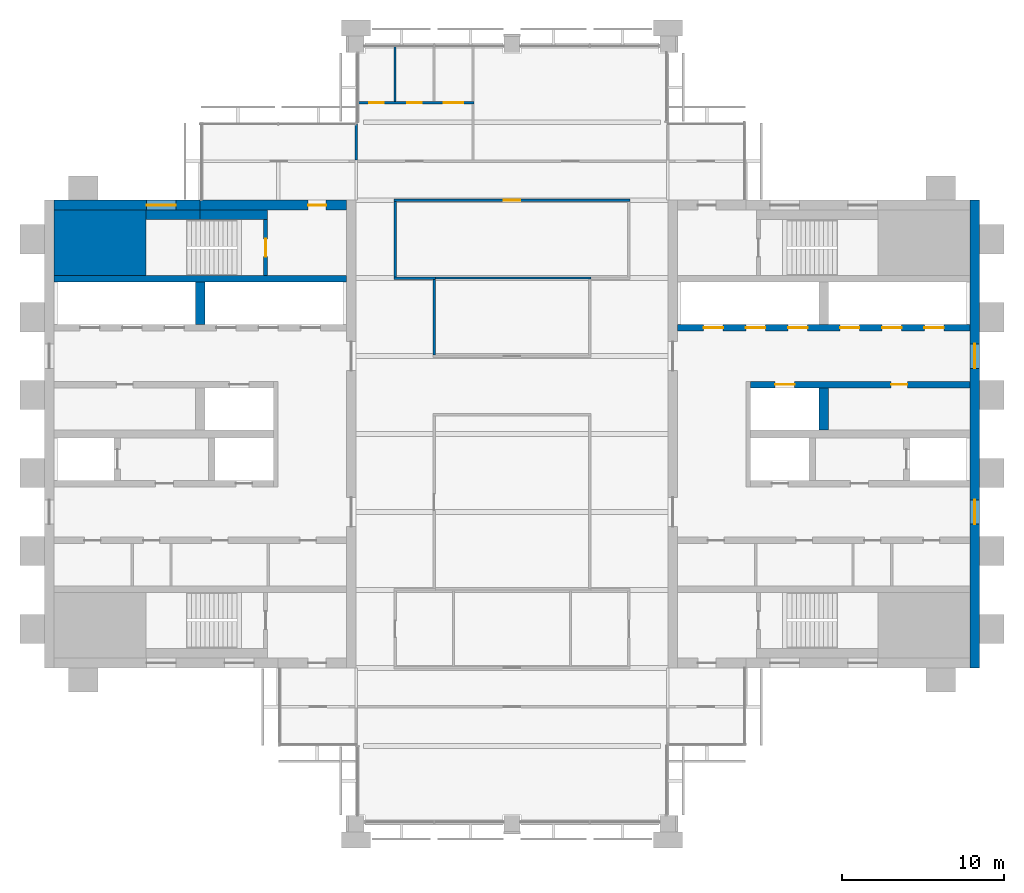
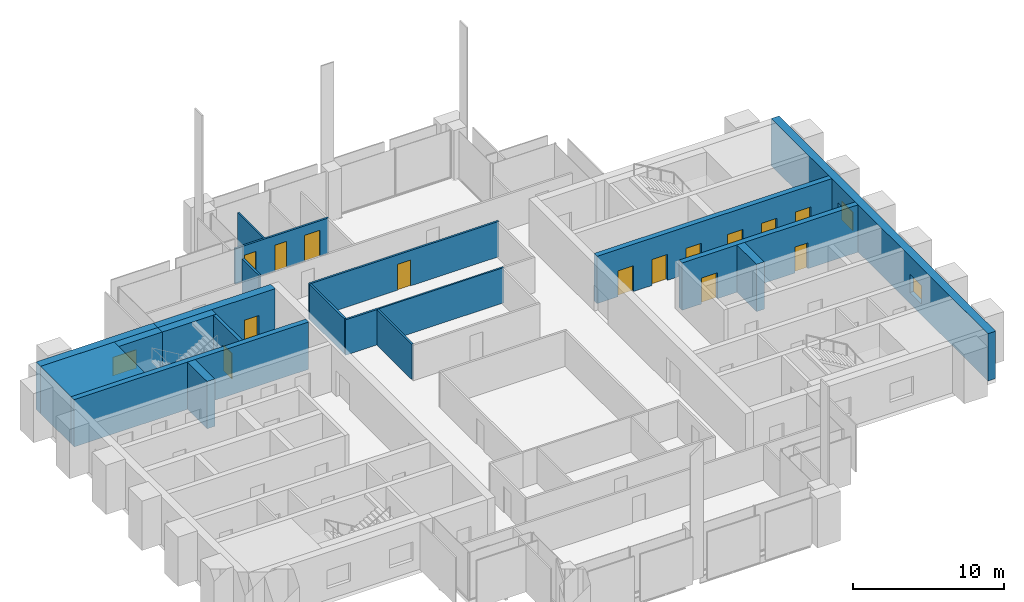
# One storey, part 10 of 12: 20 walls, 14 doors, 3 windows, 17 openings.
"""IFC4 building model written with IfcOpenShell, lengths in metres."""

from ifc_helpers import new_model, si_unit, direction, frame, frame_2d, origin, place, context, subcontext, project, spatial, rectangle, extrude, material, layer, layer_set, type_object, element, fill, save


model = new_model("IFC4")

# Units and contexts
model_context = context("Model", 3, precision=1e-05, world=origin(), true_north=direction((0.0, 1.0)))
body_context = subcontext(model_context, "Body", "Model", "MODEL_VIEW")
ifc_project = project(units=[si_unit("LENGTHUNIT", "METRE"), si_unit("AREAUNIT", "SQUARE_METRE"), si_unit("VOLUMEUNIT", "CUBIC_METRE"), si_unit("PLANEANGLEUNIT", "RADIAN"), si_unit("MASSUNIT", "GRAM", prefix="KILO")], contexts=[model_context])

# Site, building, storey
site_placement = place(None, origin())
site = spatial("IfcSite", under=ifc_project, at=site_placement, CompositionType="ELEMENT")
building_placement = place(site_placement, origin())
building = spatial("IfcBuilding", under=site, at=building_placement, Name="Baori Bourse Tower", CompositionType="ELEMENT")
storey_placement = place(building_placement, frame((0.0, 0.0, 282.300048828125)))
storey = spatial("IfcBuildingStorey", under=building, at=storey_placement, Name="L61", CompositionType="ELEMENT", Elevation=282.300048828125)

# Wall
ifc_material_1 = material(Name="Concrete f'c 40 MPa", Category="concrete")
wall_type_1 = type_object("IfcWallType", Name="Core corner block f'c 40", PredefinedType="SHEAR", material=ifc_material_1)
wall_1_placement = place(storey_placement, frame((0.60009765625, 35.77490234375, 0.0), z_axis=(0.0, 0.0, 1.0), x_axis=(1.0, 0.0, 0.0)))
element("IfcWall", 1, at=wall_1_placement, inside=storey, type_object=wall_type_1, Name="Core wall W23", PredefinedType="SHEAR", context=body_context, shape_type="SweptSolid", body=[
    extrude(rectangle(XDim=5.64990234375, YDim=4.050048828125, at=frame_2d((2.824951171875, 0.0))), origin(), (0.0, 0.0, 1.0), 3.83984375),
])

# Wall, opening, window
ifc_material_2 = material(Name="Concrete f'c 40 MPa", Category="concrete")
ifc_layer_1 = layer(ifc_material_2, 0.60009765625)
ifc_layer_set_1 = layer_set([ifc_layer_1], Name="Core wall 600 f'c 40")
wall_type_2 = type_object("IfcWallType", Name="Core wall 600 f'c 40", PredefinedType="SHEAR", material=ifc_layer_set_1)
wall_2_placement = place(storey_placement, frame((0.60009765625, 38.10009765625, 0.0), z_axis=(0.0, 0.0, 1.0), x_axis=(1.0, 0.0, 0.0)))
wall_2 = element("IfcWall", 2, at=wall_2_placement, inside=storey, type_object=wall_type_2, Name="Core wall W27", PredefinedType="SHEAR", context=body_context, shape_type="SweptSolid", body=[
    extrude(rectangle(XDim=9.0, YDim=0.60009765625, at=frame_2d((4.5, 0.0))), origin(), (0.0, 0.0, 1.0), 3.83984375),
])
opening_1_placement = place(wall_2_placement, frame((5.699951171875, 0.0, 0.89990234375)))
opening_1 = element("IfcOpeningElement", 3, at=opening_1_placement, cuts=wall_2, Name="Opening L61-KW105", PredefinedType="OPENING", context=body_context, shape_type="SweptSolid", body=[
    extrude(rectangle(XDim=1.800048828125, YDim=1.5, at=frame_2d((0.89990234375, 0.75))), frame((0.0, 0.31005859375, 0.0), z_axis=(0.0, -1.0, 0.0), x_axis=(1.0, 0.0, 0.0)), (0.0, 0.0, 1.0), 0.6201171875),
])
ifc_material_3 = material(Name="Pale anodised aluminium", Category="aluminium")
window_type_1 = type_object("IfcWindowType", Name="Stair window 1800 x 1500", PartitioningType="SINGLE_PANEL", PredefinedType="WINDOW", material=ifc_material_3)
window_1_placement = place(opening_1_placement, origin())
window_1 = element("IfcWindow", 4, at=window_1_placement, inside=storey, type_object=window_type_1, Name="Stair window W L61 5", OverallHeight=1.5, OverallWidth=1.800048828125, PartitioningType="SINGLE_PANEL", PredefinedType="WINDOW", context=body_context, shape_type="SweptSolid", body=[
    extrude(rectangle(XDim=1.800048828125, YDim=1.5, at=frame_2d((0.89990234375, 0.75))), frame((0.0, 0.030029296875, 0.0), z_axis=(0.0, -1.0, 0.0), x_axis=(1.0, 0.0, 0.0)), (0.0, 0.0, 1.0), 0.06005859375),
])
fill(opening_1, window_1)

# Wall, opening, door
wall_3_placement = place(storey_placement, frame((9.60009765625, 38.10009765625, 0.0), z_axis=(0.0, 0.0, 1.0), x_axis=(1.0, 0.0, 0.0)))
wall_3 = element("IfcWall", 5, at=wall_3_placement, inside=storey, type_object=wall_type_2, Name="Core wall W28", PredefinedType="SHEAR", context=body_context, shape_type="SweptSolid", body=[
    extrude(rectangle(XDim=9.0, YDim=0.60009765625, at=frame_2d((4.5, 0.0))), origin(), (0.0, 0.0, 1.0), 3.83984375),
])
opening_2_placement = place(wall_3_placement, frame((6.64990234375, 0.0, 0.0)))
opening_2 = element("IfcOpeningElement", 6, at=opening_2_placement, cuts=wall_3, Name="Opening L61-D104", PredefinedType="OPENING", context=body_context, shape_type="SweptSolid", body=[
    extrude(rectangle(XDim=1.10009765625, YDim=2.10009765625, at=frame_2d((0.550048828125, 1.050048828125))), frame((0.0, 0.31005859375, 0.0), z_axis=(0.0, -1.0, 0.0), x_axis=(1.0, 0.0, 0.0)), (0.0, 0.0, 1.0), 0.6201171875),
])
ifc_material_4 = material(Name="Painted steel door", Category="steel")
door_type_1 = type_object("IfcDoorType", Name="Stair door 1100", OperationType="SINGLE_SWING_LEFT", PredefinedType="DOOR", material=ifc_material_4)
door_1_placement = place(opening_2_placement, origin())
door_1 = element("IfcDoor", 7, at=door_1_placement, inside=storey, type_object=door_type_1, Name="Stair vestibule door B W L61", OperationType="SINGLE_SWING_LEFT", OverallHeight=2.10009765625, OverallWidth=1.10009765625, PredefinedType="DOOR", context=body_context, shape_type="SweptSolid", body=[
    extrude(rectangle(XDim=1.10009765625, YDim=2.10009765625, at=frame_2d((0.550048828125, 1.050048828125))), frame((0.0, 0.02490234375, 0.0), z_axis=(0.0, -1.0, 0.0), x_axis=(1.0, 0.0, 0.0)), (0.0, 0.0, 1.0), 0.050048828125),
])
fill(opening_2, door_1)

# Wall, openings, windows
wall_4_placement = place(storey_placement, frame((57.300048828125, 38.39990234375, 0.0), z_axis=(0.0, 0.0, 1.0), x_axis=(0.0, -1.0, 0.0)))
wall_4 = element("IfcWall", 8, at=wall_4_placement, inside=storey, type_object=wall_type_2, Name="Core wall E01", PredefinedType="SHEAR", context=body_context, shape_type="SweptSolid", body=[
    extrude(rectangle(XDim=28.7998046875, YDim=0.60009765625, at=frame_2d((14.39990234375, 0.0))), origin(), (0.0, 0.0, 1.0), 3.83984375),
])
opening_3_placement = place(wall_4_placement, frame((18.449951171875, 0.0, 0.89990234375)))
opening_3 = element("IfcOpeningElement", 9, at=opening_3_placement, cuts=wall_4, Name="Opening L61-KW201", PredefinedType="OPENING", context=body_context, shape_type="SweptSolid", body=[
    extrude(rectangle(XDim=1.5, YDim=1.5, at=frame_2d((0.75, 0.75))), frame((0.0, 0.31005859375, 0.0), z_axis=(0.0, -1.0, 0.0), x_axis=(1.0, 0.0, 0.0)), (0.0, 0.0, 1.0), 0.6201171875),
])
opening_4_placement = place(wall_4_placement, frame((8.85009765625, 0.0, 0.89990234375)))
opening_4 = element("IfcOpeningElement", 10, at=opening_4_placement, cuts=wall_4, Name="Opening L61-KW202", PredefinedType="OPENING", context=body_context, shape_type="SweptSolid", body=[
    extrude(rectangle(XDim=1.5, YDim=1.5, at=frame_2d((0.75, 0.75))), frame((0.0, 0.31005859375, 0.0), z_axis=(0.0, -1.0, 0.0), x_axis=(1.0, 0.0, 0.0)), (0.0, 0.0, 1.0), 0.6201171875),
])
ifc_material_5 = material(Name="Pale anodised aluminium", Category="aluminium")
window_type_2 = type_object("IfcWindowType", Name="Lobby window 1500 x 1500", PartitioningType="SINGLE_PANEL", PredefinedType="WINDOW", material=ifc_material_5)
window_2_placement = place(opening_3_placement, origin())
window_2 = element("IfcWindow", 11, at=window_2_placement, inside=storey, type_object=window_type_2, Name="Outer wall window E L61 1", OverallHeight=1.5, OverallWidth=1.5, PartitioningType="SINGLE_PANEL", PredefinedType="WINDOW", context=body_context, shape_type="SweptSolid", body=[
    extrude(rectangle(XDim=1.5, YDim=1.5, at=frame_2d((0.75, 0.75))), frame((0.0, 0.030029296875, 0.0), z_axis=(0.0, -1.0, 0.0), x_axis=(1.0, 0.0, 0.0)), (0.0, 0.0, 1.0), 0.06005859375),
])
fill(opening_3, window_2)
window_3_placement = place(opening_4_placement, origin())
window_3 = element("IfcWindow", 12, at=window_3_placement, inside=storey, type_object=window_type_2, Name="Outer wall window E L61 2", OverallHeight=1.5, OverallWidth=1.5, PartitioningType="SINGLE_PANEL", PredefinedType="WINDOW", context=body_context, shape_type="SweptSolid", body=[
    extrude(rectangle(XDim=1.5, YDim=1.5, at=frame_2d((0.75, 0.75))), frame((0.0, 0.030029296875, 0.0), z_axis=(0.0, -1.0, 0.0), x_axis=(1.0, 0.0, 0.0)), (0.0, 0.0, 1.0), 0.06005859375),
])
fill(opening_4, window_3)

# Wall
ifc_material_6 = material(Name="Gypsum board partition")
ifc_layer_2 = layer(ifc_material_6, 0.14990234375)
ifc_layer_set_2 = layer_set([ifc_layer_2], Name="Corridor partition 150")
wall_type_3 = type_object("IfcWallType", Name="Corridor partition 150", PredefinedType="PARTITIONING", material=ifc_layer_set_2)
wall_5_placement = place(storey_placement, frame((21.52490234375, 33.60009765625, 0.0), z_axis=(0.0, 0.0, 1.0), x_axis=(1.0, 0.0, 0.0)))
element("IfcWall", 13, at=wall_5_placement, inside=storey, type_object=wall_type_3, Name="Partition", PredefinedType="PARTITIONING", context=body_context, shape_type="SweptSolid", body=[
    extrude(rectangle(XDim=2.550048828125, YDim=0.14990234375, at=frame_2d((1.27490234375, 0.0))), origin(), (0.0, 0.0, 1.0), 2.86962890625),
])

# Wall, opening, door
wall_6_placement = place(storey_placement, frame((21.52490234375, 38.39990234375, 0.0), z_axis=(0.0, 0.0, 1.0), x_axis=(1.0, 0.0, 0.0)))
wall_6 = element("IfcWall", 14, at=wall_6_placement, inside=storey, type_object=wall_type_3, Name="Partition", PredefinedType="PARTITIONING", context=body_context, shape_type="SweptSolid", body=[
    extrude(rectangle(XDim=14.550048828125, YDim=0.14990234375, at=frame_2d((7.27490234375, 0.0))), origin(), (0.0, 0.0, 1.0), 2.86962890625),
])
opening_5_placement = place(wall_6_placement, frame((6.77490234375, 0.0, 0.0)))
opening_5 = element("IfcOpeningElement", 15, at=opening_5_placement, cuts=wall_6, Name="Opening L61-D06", PredefinedType="OPENING", context=body_context, shape_type="SweptSolid", body=[
    extrude(rectangle(XDim=1.0, YDim=2.10009765625, at=frame_2d((0.5, 1.050048828125))), frame((0.0, 0.0849609375, 0.0), z_axis=(0.0, -1.0, 0.0), x_axis=(1.0, 0.0, 0.0)), (0.0, 0.0, 1.0), 0.169921875),
])
ifc_material_7 = material(Name="Timber door leaf", Category="wood")
door_type_2 = type_object("IfcDoorType", Name="Door 1000 x 2100", OperationType="SINGLE_SWING_LEFT", PredefinedType="DOOR", material=ifc_material_7)
door_2_placement = place(opening_5_placement, origin())
door_2 = element("IfcDoor", 16, at=door_2_placement, inside=storey, type_object=door_type_2, Name="Door", OperationType="SINGLE_SWING_LEFT", OverallHeight=2.10009765625, OverallWidth=1.0, PredefinedType="DOOR", context=body_context, shape_type="SweptSolid", body=[
    extrude(rectangle(XDim=1.0, YDim=2.10009765625, at=frame_2d((0.5, 1.050048828125))), frame((0.0, 0.02490234375, 0.0), z_axis=(0.0, -1.0, 0.0), x_axis=(1.0, 0.0, 0.0)), (0.0, 0.0, 1.0), 0.050048828125),
])
fill(opening_5, door_2)

# Wall, openings, doors
wall_7_placement = place(storey_placement, frame((19.300048828125, 44.39990234375, 0.0), z_axis=(0.0, 0.0, 1.0), x_axis=(1.0, 0.0, 0.0)))
wall_7 = element("IfcWall", 17, at=wall_7_placement, inside=storey, type_object=wall_type_3, Name="Partition", PredefinedType="PARTITIONING", context=body_context, shape_type="SweptSolid", body=[
    extrude(rectangle(XDim=7.175048828125, YDim=0.14990234375, at=frame_2d((3.58740234375, 0.0))), origin(), (0.0, 0.0, 1.0), 2.86962890625),
])
opening_6_placement = place(wall_7_placement, frame((0.699951171875, 0.0, 0.0)))
opening_6 = element("IfcOpeningElement", 18, at=opening_6_placement, cuts=wall_7, Name="Opening L61-D11", PredefinedType="OPENING", context=body_context, shape_type="SweptSolid", body=[
    extrude(rectangle(XDim=0.89990234375, YDim=2.10009765625, at=frame_2d((0.449951171875, 1.050048828125))), frame((0.0, 0.0849609375, 0.0), z_axis=(0.0, -1.0, 0.0), x_axis=(1.0, 0.0, 0.0)), (0.0, 0.0, 1.0), 0.169921875),
])
opening_7_placement = place(wall_7_placement, frame((3.050048828125, 0.0, 0.0)))
opening_7 = element("IfcOpeningElement", 19, at=opening_7_placement, cuts=wall_7, Name="Opening L61-D12", PredefinedType="OPENING", context=body_context, shape_type="SweptSolid", body=[
    extrude(rectangle(XDim=0.89990234375, YDim=2.10009765625, at=frame_2d((0.449951171875, 1.050048828125))), frame((0.0, 0.0849609375, 0.0), z_axis=(0.0, -1.0, 0.0), x_axis=(1.0, 0.0, 0.0)), (0.0, 0.0, 1.0), 0.169921875),
])
opening_8_placement = place(wall_7_placement, frame((5.300048828125, 0.0, 0.0)))
opening_8 = element("IfcOpeningElement", 20, at=opening_8_placement, cuts=wall_7, Name="Opening L61-D13", PredefinedType="OPENING", context=body_context, shape_type="SweptSolid", body=[
    extrude(rectangle(XDim=1.199951171875, YDim=2.10009765625, at=frame_2d((0.60009765625, 1.050048828125))), frame((0.0, 0.0849609375, 0.0), z_axis=(0.0, -1.0, 0.0), x_axis=(1.0, 0.0, 0.0)), (0.0, 0.0, 1.0), 0.169921875),
])
ifc_material_8 = material(Name="Timber door leaf", Category="wood")
door_type_3 = type_object("IfcDoorType", Name="Door 1200 x 2100", OperationType="SINGLE_SWING_LEFT", PredefinedType="DOOR", material=ifc_material_8)
door_3_placement = place(opening_8_placement, origin())
door_3 = element("IfcDoor", 21, at=door_3_placement, inside=storey, type_object=door_type_3, Name="Door", OperationType="SINGLE_SWING_LEFT", OverallHeight=2.10009765625, OverallWidth=1.199951171875, PredefinedType="DOOR", context=body_context, shape_type="SweptSolid", body=[
    extrude(rectangle(XDim=1.199951171875, YDim=2.10009765625, at=frame_2d((0.60009765625, 1.050048828125))), frame((0.0, 0.02490234375, 0.0), z_axis=(0.0, -1.0, 0.0), x_axis=(1.0, 0.0, 0.0)), (0.0, 0.0, 1.0), 0.050048828125),
])
fill(opening_8, door_3)
ifc_material_9 = material(Name="Timber door leaf", Category="wood")
door_type_4 = type_object("IfcDoorType", Name="Door 900 x 2100", OperationType="SINGLE_SWING_LEFT", PredefinedType="DOOR", material=ifc_material_9)
door_4_placement = place(opening_6_placement, origin())
door_4 = element("IfcDoor", 22, at=door_4_placement, inside=storey, type_object=door_type_4, Name="Door", OperationType="SINGLE_SWING_RIGHT", OverallHeight=2.10009765625, OverallWidth=0.89990234375, PredefinedType="DOOR", context=body_context, shape_type="SweptSolid", body=[
    extrude(rectangle(XDim=0.89990234375, YDim=2.10009765625, at=frame_2d((0.449951171875, 1.050048828125))), frame((0.0, 0.02490234375, 0.0), z_axis=(0.0, -1.0, 0.0), x_axis=(1.0, 0.0, 0.0)), (0.0, 0.0, 1.0), 0.050048828125),
])
fill(opening_6, door_4)
door_5_placement = place(opening_7_placement, origin())
door_5 = element("IfcDoor", 23, at=door_5_placement, inside=storey, type_object=door_type_4, Name="Door", OperationType="SINGLE_SWING_RIGHT", OverallHeight=2.10009765625, OverallWidth=0.89990234375, PredefinedType="DOOR", context=body_context, shape_type="SweptSolid", body=[
    extrude(rectangle(XDim=0.89990234375, YDim=2.10009765625, at=frame_2d((0.449951171875, 1.050048828125))), frame((0.0, 0.02490234375, 0.0), z_axis=(0.0, -1.0, 0.0), x_axis=(1.0, 0.0, 0.0)), (0.0, 0.0, 1.0), 0.050048828125),
])
fill(opening_7, door_5)

# Walls
wall_8_placement = place(storey_placement, frame((19.199951171875, 40.875, 0.0), z_axis=(0.0, 0.0, 1.0), x_axis=(0.0, 1.0, 0.0)))
element("IfcWall", 24, at=wall_8_placement, inside=storey, type_object=wall_type_3, Name="Partition", PredefinedType="PARTITIONING", context=body_context, shape_type="SweptSolid", body=[
    extrude(rectangle(XDim=2.22509765625, YDim=0.14990234375, at=frame_2d((1.112548828125, 0.0))), origin(), (0.0, 0.0, 1.0), 2.86962890625),
])
for number, where, z_axis, x_axis, name in (
    (25, (21.60009765625, 33.675048828125, 0.0), (0.0, 0.0, 1.0), (0.0, 1.0, 0.0), "Partition"),
    (26, (24.0, 28.875, 0.0), (0.0, 0.0, 1.0), (0.0, 1.0, 0.0), "Partition"),
):
    element("IfcWall", number, at=place(storey_placement, frame(where, z_axis=z_axis, x_axis=x_axis)), inside=storey, type_object=wall_type_3, Name=name, PredefinedType="PARTITIONING", context=body_context, shape_type="SweptSolid", body=[
        extrude(rectangle(XDim=4.64990234375, YDim=0.14990234375, at=frame_2d((2.324951171875, 0.0))), origin(), (0.0, 0.0, 1.0), 2.86962890625),
    ])
ifc_material_10 = material(Name="Gypsum board partition")
ifc_layer_3 = layer(ifc_material_10, 0.125)
ifc_layer_set_3 = layer_set([ifc_layer_3], Name="Partition 125")
wall_type_4 = type_object("IfcWallType", Name="Partition 125", PredefinedType="PARTITIONING", material=ifc_layer_set_3)
wall_9_placement = place(storey_placement, frame((24.074951171875, 33.60009765625, 0.0), z_axis=(0.0, 0.0, 1.0), x_axis=(1.0, 0.0, 0.0)))
element("IfcWall", 27, at=wall_9_placement, inside=storey, type_object=wall_type_4, Name="Partition", PredefinedType="PARTITIONING", context=body_context, shape_type="SweptSolid", body=[
    extrude(rectangle(XDim=9.60009765625, YDim=0.125, at=frame_2d((4.800048828125, 0.0))), origin(), (0.0, 0.0, 1.0), 2.86962890625),
])
wall_10_placement = place(storey_placement, frame((21.60009765625, 44.47509765625, 0.0), z_axis=(0.0, 0.0, 1.0), x_axis=(0.0, 1.0, 0.0)))
element("IfcWall", 28, at=wall_10_placement, inside=storey, type_object=wall_type_4, Name="Partition", PredefinedType="PARTITIONING", context=body_context, shape_type="SweptSolid", body=[
    extrude(rectangle(XDim=3.4248046875, YDim=0.125, at=frame_2d((1.71240234375, 0.0))), origin(), (0.0, 0.0, 1.0), 2.86962890625),
])

# Wall, opening, door
ifc_material_11 = material(Name="Concrete f'c 40 MPa", Category="concrete")
ifc_layer_4 = layer(ifc_material_11, 0.25)
ifc_layer_set_4 = layer_set([ifc_layer_4], Name="Shaft wall 250 f'c 40")
wall_type_5 = type_object("IfcWallType", Name="Shaft wall 250 f'c 40", PredefinedType="SHEAR", material=ifc_layer_set_4)
wall_11_placement = place(storey_placement, frame((13.625, 33.75, 0.0), z_axis=(0.0, 0.0, 1.0), x_axis=(0.0, 1.0, 0.0)))
wall_11 = element("IfcWall", 29, at=wall_11_placement, inside=storey, type_object=wall_type_5, Name="Core wall W24", PredefinedType="SHEAR", context=body_context, shape_type="SweptSolid", body=[
    extrude(rectangle(XDim=3.449951171875, YDim=0.25, at=frame_2d((1.72509765625, 0.0))), origin(), (0.0, 0.0, 1.0), 3.83984375),
])
opening_9_placement = place(wall_11_placement, frame((1.175048828125, 0.0, 0.0)))
opening_9 = element("IfcOpeningElement", 30, at=opening_9_placement, cuts=wall_11, Name="Opening L61-D103", PredefinedType="OPENING", context=body_context, shape_type="SweptSolid", body=[
    extrude(rectangle(XDim=1.10009765625, YDim=2.10009765625, at=frame_2d((0.550048828125, 1.050048828125))), frame((0.0, 0.135009765625, 0.0), z_axis=(0.0, -1.0, 0.0), x_axis=(1.0, 0.0, 0.0)), (0.0, 0.0, 1.0), 0.27001953125),
])
door_6_placement = place(opening_9_placement, origin())
door_6 = element("IfcDoor", 31, at=door_6_placement, inside=storey, type_object=door_type_1, Name="Stair door B W L61", OperationType="SINGLE_SWING_LEFT", OverallHeight=2.10009765625, OverallWidth=1.10009765625, PredefinedType="DOOR", context=body_context, shape_type="SweptSolid", body=[
    extrude(rectangle(XDim=1.10009765625, YDim=2.10009765625, at=frame_2d((0.550048828125, 1.050048828125))), frame((0.0, 0.02490234375, 0.0), z_axis=(0.0, -1.0, 0.0), x_axis=(1.0, 0.0, 0.0)), (0.0, 0.0, 1.0), 0.050048828125),
])
fill(opening_9, door_6)

# Wall
ifc_material_12 = material(Name="Concrete f'c 40 MPa", Category="concrete")
ifc_layer_5 = layer(ifc_material_12, 0.39990234375)
ifc_layer_set_5 = layer_set([ifc_layer_5], Name="Shaft wall 400 f'c 40")
wall_type_6 = type_object("IfcWallType", Name="Shaft wall 400 f'c 40", PredefinedType="SHEAR", material=ifc_layer_set_5)
wall_12_placement = place(storey_placement, frame((0.60009765625, 33.550048828125, 0.0), z_axis=(0.0, 0.0, 1.0), x_axis=(1.0, 0.0, 0.0)))
element("IfcWall", 32, at=wall_12_placement, inside=storey, type_object=wall_type_6, Name="Core wall W22", PredefinedType="SHEAR", context=body_context, shape_type="SweptSolid", body=[
    extrude(rectangle(XDim=18.0, YDim=0.39990234375, at=frame_2d((9.0, 0.0))), origin(), (0.0, 0.0, 1.0), 3.83984375),
])

# Wall, openings, doors
wall_13_placement = place(storey_placement, frame((43.5, 27.050048828125, 0.0), z_axis=(0.0, 0.0, 1.0), x_axis=(1.0, 0.0, 0.0)))
wall_13 = element("IfcWall", 33, at=wall_13_placement, inside=storey, type_object=wall_type_6, Name="Core wall E19", PredefinedType="SHEAR", context=body_context, shape_type="SweptSolid", body=[
    extrude(rectangle(XDim=13.5, YDim=0.39990234375, at=frame_2d((6.75, 0.0))), origin(), (0.0, 0.0, 1.0), 3.83984375),
])
opening_10_placement = place(wall_13_placement, frame((8.64990234375, 0.0, 0.0)))
opening_10 = element("IfcOpeningElement", 34, at=opening_10_placement, cuts=wall_13, Name="Opening L61-D213", PredefinedType="OPENING", context=body_context, shape_type="SweptSolid", body=[
    extrude(rectangle(XDim=1.0, YDim=2.10009765625, at=frame_2d((0.5, 1.050048828125))), frame((0.0, 0.2099609375, 0.0), z_axis=(0.0, -1.0, 0.0), x_axis=(1.0, 0.0, 0.0)), (0.0, 0.0, 1.0), 0.419921875),
])
opening_11_placement = place(wall_13_placement, frame((1.5, 0.0, 0.0)))
opening_11 = element("IfcOpeningElement", 35, at=opening_11_placement, cuts=wall_13, Name="Opening L61-D220", PredefinedType="OPENING", context=body_context, shape_type="SweptSolid", body=[
    extrude(rectangle(XDim=1.199951171875, YDim=2.10009765625, at=frame_2d((0.60009765625, 1.050048828125))), frame((0.0, 0.2099609375, 0.0), z_axis=(0.0, -1.0, 0.0), x_axis=(1.0, 0.0, 0.0)), (0.0, 0.0, 1.0), 0.419921875),
])
ifc_material_13 = material(Name="Painted steel door", Category="steel")
door_type_5 = type_object("IfcDoorType", Name="Core door 1000", OperationType="SINGLE_SWING_LEFT", PredefinedType="DOOR", material=ifc_material_13)
door_7_placement = place(opening_10_placement, origin())
door_7 = element("IfcDoor", 36, at=door_7_placement, inside=storey, type_object=door_type_5, Name="Recycling Room door E L61", OperationType="SINGLE_SWING_LEFT", OverallHeight=2.10009765625, OverallWidth=1.0, PredefinedType="DOOR", context=body_context, shape_type="SweptSolid", body=[
    extrude(rectangle(XDim=1.0, YDim=2.10009765625, at=frame_2d((0.5, 1.050048828125))), frame((0.0, 0.02490234375, 0.0), z_axis=(0.0, -1.0, 0.0), x_axis=(1.0, 0.0, 0.0)), (0.0, 0.0, 1.0), 0.050048828125),
])
fill(opening_10, door_7)
ifc_material_14 = material(Name="Stainless steel door", Category="steel")
door_type_6 = type_object("IfcDoorType", Name="Lift landing door", OperationType="DOUBLE_DOOR_SLIDING", PredefinedType="DOOR", material=ifc_material_14)
door_8_placement = place(opening_11_placement, origin())
door_8 = element("IfcDoor", 37, at=door_8_placement, inside=storey, type_object=door_type_6, Name="Lift landing door SV1 E L61", OperationType="DOUBLE_DOOR_SLIDING", OverallHeight=2.10009765625, OverallWidth=1.199951171875, PredefinedType="DOOR", context=body_context, shape_type="SweptSolid", body=[
    extrude(rectangle(XDim=1.199951171875, YDim=2.10009765625, at=frame_2d((0.60009765625, 1.050048828125))), frame((0.0, 0.02490234375, 0.0), z_axis=(0.0, -1.0, 0.0), x_axis=(1.0, 0.0, 0.0)), (0.0, 0.0, 1.0), 0.050048828125),
])
fill(opening_11, door_8)

wall_14_placement = place(storey_placement, frame((39.0, 30.550048828125, 0.0), z_axis=(0.0, 0.0, 1.0), x_axis=(1.0, 0.0, 0.0)))
wall_14 = element("IfcWall", 38, at=wall_14_placement, inside=storey, type_object=wall_type_6, Name="Core wall E20", PredefinedType="SHEAR", context=body_context, shape_type="SweptSolid", body=[
    extrude(rectangle(XDim=18.0, YDim=0.39990234375, at=frame_2d((9.0, 0.0))), origin(), (0.0, 0.0, 1.0), 3.83984375),
])
opening_12_placement = place(wall_14_placement, frame((15.199951171875, 0.0, 0.0)))
opening_12 = element("IfcOpeningElement", 39, at=opening_12_placement, cuts=wall_14, Name="Opening L61-D214", PredefinedType="OPENING", context=body_context, shape_type="SweptSolid", body=[
    extrude(rectangle(XDim=1.199951171875, YDim=2.10009765625, at=frame_2d((0.60009765625, 1.050048828125))), frame((0.0, 0.2099609375, 0.0), z_axis=(0.0, -1.0, 0.0), x_axis=(1.0, 0.0, 0.0)), (0.0, 0.0, 1.0), 0.419921875),
])
opening_13_placement = place(wall_14_placement, frame((12.60009765625, 0.0, 0.0)))
opening_13 = element("IfcOpeningElement", 40, at=opening_13_placement, cuts=wall_14, Name="Opening L61-D215", PredefinedType="OPENING", context=body_context, shape_type="SweptSolid", body=[
    extrude(rectangle(XDim=1.199951171875, YDim=2.10009765625, at=frame_2d((0.60009765625, 1.050048828125))), frame((0.0, 0.2099609375, 0.0), z_axis=(0.0, -1.0, 0.0), x_axis=(1.0, 0.0, 0.0)), (0.0, 0.0, 1.0), 0.419921875),
])
opening_14_placement = place(wall_14_placement, frame((10.0, 0.0, 0.0)))
opening_14 = element("IfcOpeningElement", 41, at=opening_14_placement, cuts=wall_14, Name="Opening L61-D216", PredefinedType="OPENING", context=body_context, shape_type="SweptSolid", body=[
    extrude(rectangle(XDim=1.199951171875, YDim=2.10009765625, at=frame_2d((0.60009765625, 1.050048828125))), frame((0.0, 0.2099609375, 0.0), z_axis=(0.0, -1.0, 0.0), x_axis=(1.0, 0.0, 0.0)), (0.0, 0.0, 1.0), 0.419921875),
])
opening_15_placement = place(wall_14_placement, frame((6.800048828125, 0.0, 0.0)))
opening_15 = element("IfcOpeningElement", 42, at=opening_15_placement, cuts=wall_14, Name="Opening L61-D217", PredefinedType="OPENING", context=body_context, shape_type="SweptSolid", body=[
    extrude(rectangle(XDim=1.199951171875, YDim=2.10009765625, at=frame_2d((0.60009765625, 1.050048828125))), frame((0.0, 0.2099609375, 0.0), z_axis=(0.0, -1.0, 0.0), x_axis=(1.0, 0.0, 0.0)), (0.0, 0.0, 1.0), 0.419921875),
])
opening_16_placement = place(wall_14_placement, frame((4.199951171875, 0.0, 0.0)))
opening_16 = element("IfcOpeningElement", 43, at=opening_16_placement, cuts=wall_14, Name="Opening L61-D218", PredefinedType="OPENING", context=body_context, shape_type="SweptSolid", body=[
    extrude(rectangle(XDim=1.199951171875, YDim=2.10009765625, at=frame_2d((0.60009765625, 1.050048828125))), frame((0.0, 0.2099609375, 0.0), z_axis=(0.0, -1.0, 0.0), x_axis=(1.0, 0.0, 0.0)), (0.0, 0.0, 1.0), 0.419921875),
])
opening_17_placement = place(wall_14_placement, frame((1.60009765625, 0.0, 0.0)))
opening_17 = element("IfcOpeningElement", 44, at=opening_17_placement, cuts=wall_14, Name="Opening L61-D219", PredefinedType="OPENING", context=body_context, shape_type="SweptSolid", body=[
    extrude(rectangle(XDim=1.199951171875, YDim=2.10009765625, at=frame_2d((0.60009765625, 1.050048828125))), frame((0.0, 0.2099609375, 0.0), z_axis=(0.0, -1.0, 0.0), x_axis=(1.0, 0.0, 0.0)), (0.0, 0.0, 1.0), 0.419921875),
])
door_9_placement = place(opening_12_placement, origin())
door_9 = element("IfcDoor", 45, at=door_9_placement, inside=storey, type_object=door_type_6, Name="Lift landing door HR1 E L61", OperationType="DOUBLE_DOOR_SLIDING", OverallHeight=2.10009765625, OverallWidth=1.199951171875, PredefinedType="DOOR", context=body_context, shape_type="SweptSolid", body=[
    extrude(rectangle(XDim=1.199951171875, YDim=2.10009765625, at=frame_2d((0.60009765625, 1.050048828125))), frame((0.0, 0.02490234375, 0.0), z_axis=(0.0, -1.0, 0.0), x_axis=(1.0, 0.0, 0.0)), (0.0, 0.0, 1.0), 0.050048828125),
])
fill(opening_12, door_9)
door_10_placement = place(opening_13_placement, origin())
door_10 = element("IfcDoor", 46, at=door_10_placement, inside=storey, type_object=door_type_6, Name="Lift landing door HR2 E L61", OperationType="DOUBLE_DOOR_SLIDING", OverallHeight=2.10009765625, OverallWidth=1.199951171875, PredefinedType="DOOR", context=body_context, shape_type="SweptSolid", body=[
    extrude(rectangle(XDim=1.199951171875, YDim=2.10009765625, at=frame_2d((0.60009765625, 1.050048828125))), frame((0.0, 0.02490234375, 0.0), z_axis=(0.0, -1.0, 0.0), x_axis=(1.0, 0.0, 0.0)), (0.0, 0.0, 1.0), 0.050048828125),
])
fill(opening_13, door_10)
door_11_placement = place(opening_14_placement, origin())
door_11 = element("IfcDoor", 47, at=door_11_placement, inside=storey, type_object=door_type_6, Name="Lift landing door HR3 E L61", OperationType="DOUBLE_DOOR_SLIDING", OverallHeight=2.10009765625, OverallWidth=1.199951171875, PredefinedType="DOOR", context=body_context, shape_type="SweptSolid", body=[
    extrude(rectangle(XDim=1.199951171875, YDim=2.10009765625, at=frame_2d((0.60009765625, 1.050048828125))), frame((0.0, 0.02490234375, 0.0), z_axis=(0.0, -1.0, 0.0), x_axis=(1.0, 0.0, 0.0)), (0.0, 0.0, 1.0), 0.050048828125),
])
fill(opening_14, door_11)
door_12_placement = place(opening_15_placement, origin())
door_12 = element("IfcDoor", 48, at=door_12_placement, inside=storey, type_object=door_type_6, Name="Lift landing door HR4 E L61", OperationType="DOUBLE_DOOR_SLIDING", OverallHeight=2.10009765625, OverallWidth=1.199951171875, PredefinedType="DOOR", context=body_context, shape_type="SweptSolid", body=[
    extrude(rectangle(XDim=1.199951171875, YDim=2.10009765625, at=frame_2d((0.60009765625, 1.050048828125))), frame((0.0, 0.02490234375, 0.0), z_axis=(0.0, -1.0, 0.0), x_axis=(1.0, 0.0, 0.0)), (0.0, 0.0, 1.0), 0.050048828125),
])
fill(opening_15, door_12)
door_13_placement = place(opening_16_placement, origin())
door_13 = element("IfcDoor", 49, at=door_13_placement, inside=storey, type_object=door_type_6, Name="Lift landing door HR5 E L61", OperationType="DOUBLE_DOOR_SLIDING", OverallHeight=2.10009765625, OverallWidth=1.199951171875, PredefinedType="DOOR", context=body_context, shape_type="SweptSolid", body=[
    extrude(rectangle(XDim=1.199951171875, YDim=2.10009765625, at=frame_2d((0.60009765625, 1.050048828125))), frame((0.0, 0.02490234375, 0.0), z_axis=(0.0, -1.0, 0.0), x_axis=(1.0, 0.0, 0.0)), (0.0, 0.0, 1.0), 0.050048828125),
])
fill(opening_16, door_13)
door_14_placement = place(opening_17_placement, origin())
door_14 = element("IfcDoor", 50, at=door_14_placement, inside=storey, type_object=door_type_6, Name="Lift landing door HR6 E L61", OperationType="DOUBLE_DOOR_SLIDING", OverallHeight=2.10009765625, OverallWidth=1.199951171875, PredefinedType="DOOR", context=body_context, shape_type="SweptSolid", body=[
    extrude(rectangle(XDim=1.199951171875, YDim=2.10009765625, at=frame_2d((0.60009765625, 1.050048828125))), frame((0.0, 0.02490234375, 0.0), z_axis=(0.0, -1.0, 0.0), x_axis=(1.0, 0.0, 0.0)), (0.0, 0.0, 1.0), 0.050048828125),
])
fill(opening_17, door_14)

# Walls
ifc_material_15 = material(Name="Concrete f'c 40 MPa", Category="concrete")
ifc_layer_6 = layer(ifc_material_15, 0.60009765625)
ifc_layer_set_6 = layer_set([ifc_layer_6], Name="Shaft wall 600 f'c 40")
wall_type_7 = type_object("IfcWallType", Name="Shaft wall 600 f'c 40", PredefinedType="SHEAR", material=ifc_layer_set_6)
wall_15_placement = place(storey_placement, frame((9.60009765625, 30.75, 0.0), z_axis=(0.0, 0.0, 1.0), x_axis=(0.0, 1.0, 0.0)))
element("IfcWall", 51, at=wall_15_placement, inside=storey, type_object=wall_type_7, Name="Core wall W21", PredefinedType="SHEAR", context=body_context, shape_type="SweptSolid", body=[
    extrude(rectangle(XDim=2.60009765625, YDim=0.60009765625, at=frame_2d((1.300048828125, 0.0))), origin(), (0.0, 0.0, 1.0), 3.83984375),
])
wall_16_placement = place(storey_placement, frame((6.25, 37.5, 0.0), z_axis=(0.0, 0.0, 1.0), x_axis=(1.0, 0.0, 0.0)))
element("IfcWall", 52, at=wall_16_placement, inside=storey, type_object=wall_type_7, Name="Core wall W25", PredefinedType="SHEAR", context=body_context, shape_type="SweptSolid", body=[
    extrude(rectangle(XDim=3.35009765625, YDim=0.60009765625, at=frame_2d((1.675048828125, 0.0))), origin(), (0.0, 0.0, 1.0), 3.83984375),
])
wall_17_placement = place(storey_placement, frame((9.60009765625, 37.5, 0.0), z_axis=(0.0, 0.0, 1.0), x_axis=(1.0, 0.0, 0.0)))
element("IfcWall", 53, at=wall_17_placement, inside=storey, type_object=wall_type_7, Name="Core wall W26", PredefinedType="SHEAR", context=body_context, shape_type="SweptSolid", body=[
    extrude(rectangle(XDim=4.14990234375, YDim=0.60009765625, at=frame_2d((2.074951171875, 0.0))), origin(), (0.0, 0.0, 1.0), 3.83984375),
])
wall_18_placement = place(storey_placement, frame((48.0, 24.25, 0.0), z_axis=(0.0, 0.0, 1.0), x_axis=(0.0, 1.0, 0.0)))
element("IfcWall", 54, at=wall_18_placement, inside=storey, type_object=wall_type_7, Name="Core wall E18", PredefinedType="SHEAR", context=body_context, shape_type="SweptSolid", body=[
    extrude(rectangle(XDim=2.60009765625, YDim=0.60009765625, at=frame_2d((1.300048828125, 0.0))), origin(), (0.0, 0.0, 1.0), 3.83984375),
])

save(model, "model.ifc")
